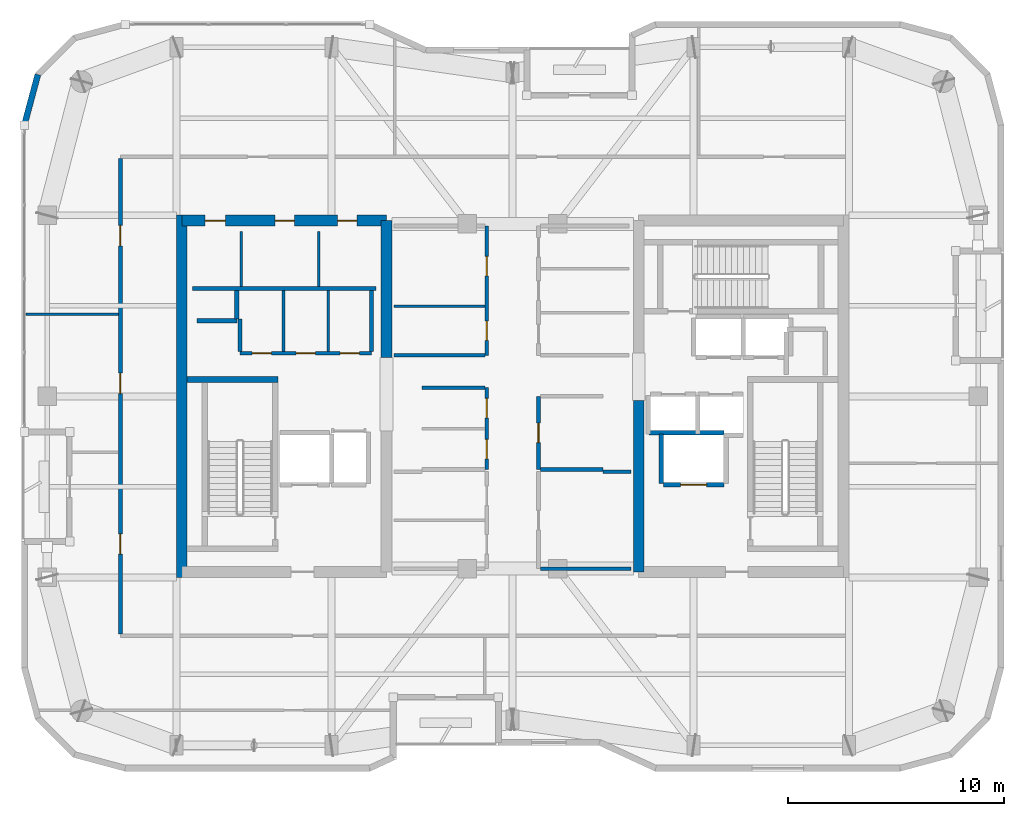
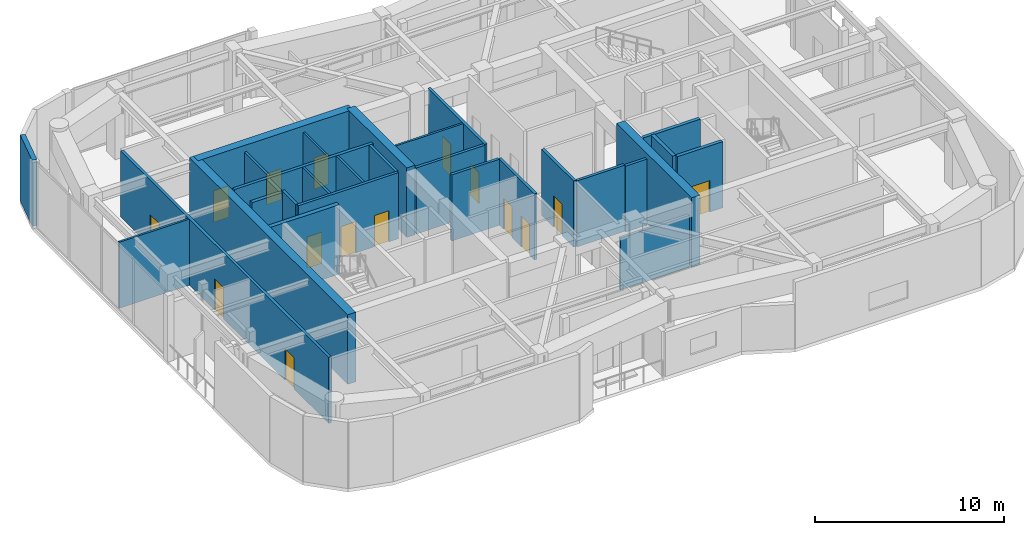
# One storey, part 11 of 15: 30 walls, 15 doors, 15 openings.
"""IFC4 building model written with IfcOpenShell, lengths in metres."""

from ifc_helpers import new_model, si_unit, direction, frame, frame_2d, origin, place, context, subcontext, project, spatial, rectangle, extrude, material, layer, layer_set, type_object, element, fill, save


model = new_model("IFC4")

# Units and contexts
model_context = context("Model", 3, precision=1e-05, world=origin(), true_north=direction((0.0, 1.0)))
body_context = subcontext(model_context, "Body", "Model", "MODEL_VIEW")
ifc_project = project(units=[si_unit("LENGTHUNIT", "METRE"), si_unit("AREAUNIT", "SQUARE_METRE"), si_unit("VOLUMEUNIT", "CUBIC_METRE"), si_unit("PLANEANGLEUNIT", "RADIAN"), si_unit("MASSUNIT", "GRAM", prefix="KILO")], contexts=[model_context])

# Site, building, storey
site_placement = place(None, origin())
site = spatial("IfcSite", under=ifc_project, at=site_placement, CompositionType="ELEMENT")
building_placement = place(site_placement, origin())
building = spatial("IfcBuilding", under=site, at=building_placement, Name="Kiyonajd Concourse Tower", CompositionType="ELEMENT")
storey_placement = place(building_placement, frame((0.0, 0.0, 342.0)))
storey = spatial("IfcBuildingStorey", under=building, at=storey_placement, Name="L86", CompositionType="ELEMENT", Elevation=342.0)

# Walls
ifc_material_1 = material(Name="Concrete C60/75", Category="concrete")
ifc_layer_1 = layer(ifc_material_1, 0.5)
ifc_layer_set_1 = layer_set([ifc_layer_1], Name="Concrete C60/75")
wall_type_1 = type_object("IfcWallType", Name="WL-CORE-500", PredefinedType="SHEAR", material=ifc_layer_set_1)
wall_1_placement = place(storey_placement, frame((32.64990234375, 27.60009765625, 0.0), z_axis=(0.0, 0.0, 1.0), x_axis=(0.0, 1.0, 0.0)))
element("IfcWall", 1, at=wall_1_placement, inside=storey, type_object=wall_type_1, Name="L86 West Core Outer Shear Wall", PredefinedType="SHEAR", context=body_context, shape_type="SweptSolid", body=[
    extrude(rectangle(XDim=16.7998046875, YDim=0.5, at=frame_2d((8.39990234375, 0.0))), origin(), (0.0, 0.0, 1.0), 4.5),
])
wall_2_placement = place(storey_placement, frame((42.14990234375, 37.800048828125, 0.0), z_axis=(0.0, 0.0, 1.0), x_axis=(0.0, 1.0, 0.0)))
element("IfcWall", 2, at=wall_2_placement, inside=storey, type_object=wall_type_1, Name="L86 West Core Inner North Shear Wall", PredefinedType="SHEAR", context=body_context, shape_type="SweptSolid", body=[
    extrude(rectangle(XDim=6.349853515625, YDim=0.5, at=frame_2d((3.1748046875, 0.0))), origin(), (0.0, 0.0, 1.0), 4.5),
])

# Wall, openings, doors
wall_3_placement = place(storey_placement, frame((32.64990234375, 44.14990234375, 0.0), z_axis=(0.0, 0.0, 1.0), x_axis=(1.0, 0.0, 0.0)))
wall_3 = element("IfcWall", 3, at=wall_3_placement, inside=storey, type_object=wall_type_1, Name="L86 West Core North Shear Wall", PredefinedType="SHEAR", context=body_context, shape_type="SweptSolid", body=[
    extrude(rectangle(XDim=9.5, YDim=0.5, at=frame_2d((4.75, 0.0))), origin(), (0.0, 0.0, 1.0), 4.5),
])
opening_1_placement = place(wall_3_placement, frame((1.074951171875, 0.0, 0.0)))
opening_1 = element("IfcOpeningElement", 4, at=opening_1_placement, cuts=wall_3, Name="Opening DI1", PredefinedType="OPENING", context=body_context, shape_type="SweptSolid", body=[
    extrude(rectangle(XDim=0.949951171875, YDim=2.0400390625, at=frame_2d((0.47509765625, 1.02001953125))), frame((0.0, 0.260009765625, 0.0), z_axis=(0.0, -1.0, 0.0), x_axis=(1.0, 0.0, 0.0)), (0.0, 0.0, 1.0), 0.52001953125),
])
opening_2_placement = place(wall_3_placement, frame((4.324951171875, 0.0, 0.0)))
opening_2 = element("IfcOpeningElement", 5, at=opening_2_placement, cuts=wall_3, Name="Opening DI2", PredefinedType="OPENING", context=body_context, shape_type="SweptSolid", body=[
    extrude(rectangle(XDim=0.89990234375, YDim=2.02001953125, at=frame_2d((0.449951171875, 1.010009765625))), frame((0.0, 0.260009765625, 0.0), z_axis=(0.0, -1.0, 0.0), x_axis=(1.0, 0.0, 0.0)), (0.0, 0.0, 1.0), 0.52001953125),
])
opening_3_placement = place(wall_3_placement, frame((7.22509765625, 0.0, 0.0)))
opening_3 = element("IfcOpeningElement", 6, at=opening_3_placement, cuts=wall_3, Name="Opening DI2", PredefinedType="OPENING", context=body_context, shape_type="SweptSolid", body=[
    extrude(rectangle(XDim=0.89990234375, YDim=2.02001953125, at=frame_2d((0.449951171875, 1.010009765625))), frame((0.0, 0.260009765625, 0.0), z_axis=(0.0, -1.0, 0.0), x_axis=(1.0, 0.0, 0.0)), (0.0, 0.0, 1.0), 0.52001953125),
])
ifc_material_2 = material(Name="Natural Oak Acoustic Timber Veneer", Category="wood")
door_type_1 = type_object("IfcDoorType", Name="DR-INT-900", OperationType="NOTDEFINED", PredefinedType="DOOR", material=ifc_material_2)
door_1_placement = place(opening_2_placement, origin())
door_1 = element("IfcDoor", 7, at=door_1_placement, inside=storey, type_object=door_type_1, Name="L86 Male Restroom Door", OperationType="SINGLE_SWING_RIGHT", OverallHeight=2.02001953125, OverallWidth=0.89990234375, PredefinedType="DOOR", context=body_context, shape_type="SweptSolid", body=[
    extrude(rectangle(XDim=0.89990234375, YDim=2.02001953125, at=frame_2d((0.449951171875, 1.010009765625))), frame((0.0, 0.02490234375, 0.0), z_axis=(0.0, -1.0, 0.0), x_axis=(1.0, 0.0, 0.0)), (0.0, 0.0, 1.0), 0.050048828125),
])
fill(opening_2, door_1)
door_2_placement = place(opening_3_placement, origin())
door_2 = element("IfcDoor", 8, at=door_2_placement, inside=storey, type_object=door_type_1, Name="L86 Female Restroom Door", OperationType="SINGLE_SWING_LEFT", OverallHeight=2.02001953125, OverallWidth=0.89990234375, PredefinedType="DOOR", context=body_context, shape_type="SweptSolid", body=[
    extrude(rectangle(XDim=0.89990234375, YDim=2.02001953125, at=frame_2d((0.449951171875, 1.010009765625))), frame((0.0, 0.02490234375, 0.0), z_axis=(0.0, -1.0, 0.0), x_axis=(1.0, 0.0, 0.0)), (0.0, 0.0, 1.0), 0.050048828125),
])
fill(opening_3, door_2)
door_type_2 = type_object("IfcDoorType", Name="DR-INT-950", OperationType="NOTDEFINED", PredefinedType="DOOR", material=ifc_material_2)
door_3_placement = place(opening_1_placement, origin())
door_3 = element("IfcDoor", 9, at=door_3_placement, inside=storey, type_object=door_type_2, Name="L86 Single User Accessible WC Door", OperationType="SINGLE_SWING_LEFT", OverallHeight=2.0400390625, OverallWidth=0.949951171875, PredefinedType="DOOR", context=body_context, shape_type="SweptSolid", body=[
    extrude(rectangle(XDim=0.949951171875, YDim=2.0400390625, at=frame_2d((0.47509765625, 1.02001953125))), frame((0.0, 0.02490234375, 0.0), z_axis=(0.0, -1.0, 0.0), x_axis=(1.0, 0.0, 0.0)), (0.0, 0.0, 1.0), 0.050048828125),
])
fill(opening_1, door_3)

# Walls
wall_4_placement = place(storey_placement, frame((53.85009765625, 27.85009765625, 0.0), z_axis=(0.0, 0.0, 1.0), x_axis=(0.0, 1.0, 0.0)))
element("IfcWall", 10, at=wall_4_placement, inside=storey, type_object=wall_type_1, Name="L86 East Core Inner South Shear Wall", PredefinedType="SHEAR", context=body_context, shape_type="SweptSolid", body=[
    extrude(rectangle(XDim=7.949951171875, YDim=0.5, at=frame_2d((3.97509765625, 0.0))), origin(), (0.0, 0.0, 1.0), 4.5),
])
ifc_material_3 = material(Name="Precast concrete C50/60", Category="concrete")
ifc_layer_2 = layer(ifc_material_3, 0.280029296875)
ifc_layer_set_2 = layer_set([ifc_layer_2], Name="Precast concrete C50/60")
wall_type_2 = type_object("IfcWallType", Name="WL-EXT-280", PredefinedType="SOLIDWALL", material=ifc_layer_set_2)
wall_5_placement = place(storey_placement, frame((25.340087890625, 48.58154296875, 0.0), z_axis=(0.0, 0.0, 1.0), x_axis=(0.258751159445, 0.965944013639, 0.0)))
element("IfcWall", 11, at=wall_5_placement, inside=storey, type_object=wall_type_2, Name="L86 Exterior Concrete Frame Wall 06", PredefinedType="SOLIDWALL", context=body_context, shape_type="SweptSolid", body=[
    extrude(rectangle(XDim=2.4287109375, YDim=0.280029296875, at=frame_2d((1.21435546875, 0.0))), origin(), (0.0, 0.0, 1.0), 4.280029296875),
])
ifc_material_4 = material(Name="Gypsum Board on Cold-Formed Steel Stud", Category="steel")
ifc_layer_3 = layer(ifc_material_4, 0.125)
ifc_layer_set_3 = layer_set([ifc_layer_3], Name="Gypsum Board on Cold-Formed Steel Stud")
wall_type_3 = type_object("IfcWallType", Name="WL-PART-125", PredefinedType="PARTITIONING", material=ifc_layer_set_3)
for number, where, z_axis, x_axis, name in (
    (12, (35.39990234375, 41.094970703125, 0.0), (0.0, 0.0, 1.0), (0.0, 1.0, 0.0), "L86 Interior Partition Wall"),
    (13, (39.0, 41.094970703125, 0.0), (0.0, 0.0, 1.0), (0.0, 1.0, 0.0), "L86 Interior Partition Wall"),
):
    element("IfcWall", number, at=place(storey_placement, frame(where, z_axis=z_axis, x_axis=x_axis)), inside=storey, type_object=wall_type_3, Name=name, PredefinedType="PARTITIONING", context=body_context, shape_type="SweptSolid", body=[
        extrude(rectangle(XDim=2.554931640625, YDim=0.125, at=frame_2d((1.27734375, 0.0))), origin(), (0.0, 0.0, 1.0), 4.280029296875),
    ])
for number, where, z_axis, x_axis, name in (
    (14, (37.363037109375, 38.0869140625, 0.0), (0.0, 0.0, 1.0), (0.0, 1.0, 0.0), "L86 Interior Partition Wall"),
    (15, (39.43701171875, 38.0869140625, 0.0), (0.0, 0.0, 1.0), (0.0, 1.0, 0.0), "L86 Interior Partition Wall"),
):
    element("IfcWall", number, at=place(storey_placement, frame(where, z_axis=z_axis, x_axis=x_axis)), inside=storey, type_object=wall_type_3, Name=name, PredefinedType="PARTITIONING", context=body_context, shape_type="SweptSolid", body=[
        extrude(rectangle(XDim=2.81298828125, YDim=0.125, at=frame_2d((1.406494140625, 0.0))), origin(), (0.0, 0.0, 1.0), 4.280029296875),
    ])
wall_6_placement = place(storey_placement, frame((42.5, 40.179931640625, 0.0), z_axis=(0.0, 0.0, 1.0), x_axis=(1.0, 0.0, 0.0)))
element("IfcWall", 16, at=wall_6_placement, inside=storey, type_object=wall_type_3, Name="L86 Interior Partition Wall", PredefinedType="PARTITIONING", context=body_context, shape_type="SweptSolid", body=[
    extrude(rectangle(XDim=4.212890625, YDim=0.125, at=frame_2d((2.1064453125, 0.0))), origin(), (0.0, 0.0, 1.0), 4.280029296875),
])
wall_7_placement = place(storey_placement, frame((25.425048828125, 39.800048828125, 0.0), z_axis=(0.0, 0.0, 1.0), x_axis=(1.0, 0.0, 0.0)))
element("IfcWall", 17, at=wall_7_placement, inside=storey, type_object=wall_type_3, Name="L86 Interior Partition Wall", PredefinedType="PARTITIONING", context=body_context, shape_type="SweptSolid", body=[
    extrude(rectangle(XDim=4.287841796875, YDim=0.125, at=frame_2d((2.14404296875, 0.0))), origin(), (0.0, 0.0, 1.0), 4.280029296875),
])
ifc_layer_4 = layer(ifc_material_4, 0.18994140625)
ifc_layer_set_4 = layer_set([ifc_layer_4], Name="Gypsum Board on Cold-Formed Steel Stud")
wall_type_4 = type_object("IfcWallType", Name="WL-PLMB-190", PredefinedType="PLUMBINGWALL", material=ifc_layer_set_4)
wall_8_placement = place(storey_placement, frame((33.14990234375, 41.0, 0.0), z_axis=(0.0, 0.0, 1.0), x_axis=(1.0, 0.0, 0.0)))
element("IfcWall", 18, at=wall_8_placement, inside=storey, type_object=wall_type_4, Name="L86 Interior Partition Wall", PredefinedType="PLUMBINGWALL", context=body_context, shape_type="SweptSolid", body=[
    extrude(rectangle(XDim=8.5, YDim=0.18994140625, at=frame_2d((4.25, 0.0))), origin(), (0.0, 0.0, 1.0), 4.280029296875),
])
ifc_layer_5 = layer(ifc_material_4, 0.2099609375)
ifc_layer_set_5 = layer_set([ifc_layer_5], Name="Gypsum Board on Cold-Formed Steel Stud")
wall_type_5 = type_object("IfcWallType", Name="WL-SHAFT-210", PredefinedType="PARTITIONING", material=ifc_layer_set_5)
wall_9_placement = place(storey_placement, frame((33.360107421875, 39.5, 0.0), z_axis=(0.0, 0.0, 1.0), x_axis=(1.0, 0.0, 0.0)))
element("IfcWall", 19, at=wall_9_placement, inside=storey, type_object=wall_type_5, Name="L86 Shaft Enclosure Wall", PredefinedType="PARTITIONING", context=body_context, shape_type="SweptSolid", body=[
    extrude(rectangle(XDim=1.85986328125, YDim=0.2099609375, at=frame_2d((0.929931640625, 0.0))), origin(), (0.0, 0.0, 1.0), 4.280029296875),
])
wall_10_placement = place(storey_placement, frame((35.199951171875, 39.580078125, 0.0), z_axis=(0.0, 0.0, 1.0), x_axis=(0.0, 1.0, 0.0)))
element("IfcWall", 20, at=wall_10_placement, inside=storey, type_object=wall_type_5, Name="L86 Shaft Enclosure Wall", PredefinedType="PARTITIONING", context=body_context, shape_type="SweptSolid", body=[
    extrude(rectangle(XDim=1.31982421875, YDim=0.2099609375, at=frame_2d((0.659912109375, 0.0))), origin(), (0.0, 0.0, 1.0), 4.280029296875),
])

# Wall, opening, door
wall_11_placement = place(storey_placement, frame((55.0, 31.89990234375, 0.0), z_axis=(0.0, 0.0, 1.0), x_axis=(1.0, 0.0, 0.0)))
wall_11 = element("IfcWall", 21, at=wall_11_placement, inside=storey, type_object=wall_type_5, Name="L86 Shaft Enclosure Wall", PredefinedType="PARTITIONING", context=body_context, shape_type="SweptSolid", body=[
    extrude(rectangle(XDim=2.800048828125, YDim=0.2099609375, at=frame_2d((1.39990234375, 0.0))), origin(), (0.0, 0.0, 1.0), 4.280029296875),
])
opening_4_placement = place(wall_11_placement, frame((0.800048828125, 0.0, 0.0)))
opening_4 = element("IfcOpeningElement", 22, at=opening_4_placement, cuts=wall_11, Name="Opening LD2", PredefinedType="OPENING", context=body_context, shape_type="SweptSolid", body=[
    extrude(rectangle(XDim=1.199951171875, YDim=2.0400390625, at=frame_2d((0.60009765625, 1.02001953125))), frame((0.0, 0.114990234375, 0.0), z_axis=(0.0, -1.0, 0.0), x_axis=(1.0, 0.0, 0.0)), (0.0, 0.0, 1.0), 0.22998046875),
])
ifc_material_5 = material(Name="Brushed Stainless Steel Cab Assembly", Category="steel")
door_type_3 = type_object("IfcDoorType", Name="DR-LD-1200", OperationType="DOUBLE_DOOR_SLIDING", PredefinedType="DOOR", material=ifc_material_5)
door_4_placement = place(opening_4_placement, origin())
door_4 = element("IfcDoor", 23, at=door_4_placement, inside=storey, type_object=door_type_3, Name="L86 Lift FFL2 Sliding Landing Door", OperationType="DOUBLE_DOOR_SLIDING", OverallHeight=2.0400390625, OverallWidth=1.199951171875, PredefinedType="DOOR", context=body_context, shape_type="SweptSolid", body=[
    extrude(rectangle(XDim=1.199951171875, YDim=2.0400390625, at=frame_2d((0.60009765625, 1.02001953125))), frame((0.0, 0.02490234375, 0.0), z_axis=(0.0, -1.0, 0.0), x_axis=(1.0, 0.0, 0.0)), (0.0, 0.0, 1.0), 0.050048828125),
])
fill(opening_4, door_4)

# Walls
wall_12_placement = place(storey_placement, frame((54.320068359375, 34.300048828125, 0.0), z_axis=(0.0, 0.0, 1.0), x_axis=(1.0, 0.0, 0.0)))
element("IfcWall", 24, at=wall_12_placement, inside=storey, type_object=wall_type_5, Name="L86 Shaft Enclosure Wall", PredefinedType="PARTITIONING", context=body_context, shape_type="SweptSolid", body=[
    extrude(rectangle(XDim=3.47998046875, YDim=0.2099609375, at=frame_2d((1.739990234375, 0.0))), origin(), (0.0, 0.0, 1.0), 4.280029296875),
])
wall_13_placement = place(storey_placement, frame((54.89990234375, 31.9599609375, 0.0), z_axis=(0.0, 0.0, 1.0), x_axis=(0.0, 1.0, 0.0)))
element("IfcWall", 25, at=wall_13_placement, inside=storey, type_object=wall_type_5, Name="L86 Shaft Enclosure Wall", PredefinedType="PARTITIONING", context=body_context, shape_type="SweptSolid", body=[
    extrude(rectangle(XDim=2.280029296875, YDim=0.2099609375, at=frame_2d((1.14013671875, 0.0))), origin(), (0.0, 0.0, 1.0), 4.280029296875),
])

# Wall, openings, doors
ifc_layer_6 = layer(ifc_material_4, 0.169921875)
ifc_layer_set_6 = layer_set([ifc_layer_6], Name="Gypsum Board on Cold-Formed Steel Stud")
wall_type_6 = type_object("IfcWallType", Name="WL-SMK-170", PredefinedType="PARTITIONING", material=ifc_layer_set_6)
wall_14_placement = place(storey_placement, frame((35.35009765625, 38.0, 0.0), z_axis=(0.0, 0.0, 1.0), x_axis=(1.0, 0.0, 0.0)))
wall_14 = element("IfcWall", 26, at=wall_14_placement, inside=storey, type_object=wall_type_6, Name="L86 Interior Partition Wall", PredefinedType="PARTITIONING", context=body_context, shape_type="SweptSolid", body=[
    extrude(rectangle(XDim=6.099853515625, YDim=0.169921875, at=frame_2d((3.0498046875, 0.0))), origin(), (0.0, 0.0, 1.0), 4.280029296875),
])
opening_5_placement = place(wall_14_placement, frame((0.555908203125, 0.0, 0.0)))
opening_5 = element("IfcOpeningElement", 27, at=opening_5_placement, cuts=wall_14, Name="Opening DI2", PredefinedType="OPENING", context=body_context, shape_type="SweptSolid", body=[
    extrude(rectangle(XDim=0.89990234375, YDim=2.02001953125, at=frame_2d((0.449951171875, 1.010009765625))), frame((0.0, 0.094970703125, 0.0), z_axis=(0.0, -1.0, 0.0), x_axis=(1.0, 0.0, 0.0)), (0.0, 0.0, 1.0), 0.18994140625),
])
opening_6_placement = place(wall_14_placement, frame((2.60009765625, 0.0, 0.0)))
opening_6 = element("IfcOpeningElement", 28, at=opening_6_placement, cuts=wall_14, Name="Opening DI2", PredefinedType="OPENING", context=body_context, shape_type="SweptSolid", body=[
    extrude(rectangle(XDim=0.89990234375, YDim=2.02001953125, at=frame_2d((0.449951171875, 1.010009765625))), frame((0.0, 0.094970703125, 0.0), z_axis=(0.0, -1.0, 0.0), x_axis=(1.0, 0.0, 0.0)), (0.0, 0.0, 1.0), 0.18994140625),
])
opening_7_placement = place(wall_14_placement, frame((4.64306640625, 0.0, 0.0)))
opening_7 = element("IfcOpeningElement", 29, at=opening_7_placement, cuts=wall_14, Name="Opening DI2", PredefinedType="OPENING", context=body_context, shape_type="SweptSolid", body=[
    extrude(rectangle(XDim=0.89990234375, YDim=2.02001953125, at=frame_2d((0.449951171875, 1.010009765625))), frame((0.0, 0.094970703125, 0.0), z_axis=(0.0, -1.0, 0.0), x_axis=(1.0, 0.0, 0.0)), (0.0, 0.0, 1.0), 0.18994140625),
])
door_5_placement = place(opening_5_placement, origin())
door_5 = element("IfcDoor", 30, at=door_5_placement, inside=storey, type_object=door_type_1, Name="L86 Interior Door", OperationType="SINGLE_SWING_RIGHT", OverallHeight=2.02001953125, OverallWidth=0.89990234375, PredefinedType="DOOR", context=body_context, shape_type="SweptSolid", body=[
    extrude(rectangle(XDim=0.89990234375, YDim=2.02001953125, at=frame_2d((0.449951171875, 1.010009765625))), frame((0.0, 0.02490234375, 0.0), z_axis=(0.0, -1.0, 0.0), x_axis=(1.0, 0.0, 0.0)), (0.0, 0.0, 1.0), 0.050048828125),
])
fill(opening_5, door_5)
door_6_placement = place(opening_6_placement, origin())
door_6 = element("IfcDoor", 31, at=door_6_placement, inside=storey, type_object=door_type_1, Name="L86 Interior Door", OperationType="SINGLE_SWING_LEFT", OverallHeight=2.02001953125, OverallWidth=0.89990234375, PredefinedType="DOOR", context=body_context, shape_type="SweptSolid", body=[
    extrude(rectangle(XDim=0.89990234375, YDim=2.02001953125, at=frame_2d((0.449951171875, 1.010009765625))), frame((0.0, 0.02490234375, 0.0), z_axis=(0.0, -1.0, 0.0), x_axis=(1.0, 0.0, 0.0)), (0.0, 0.0, 1.0), 0.050048828125),
])
fill(opening_6, door_6)
door_7_placement = place(opening_7_placement, origin())
door_7 = element("IfcDoor", 32, at=door_7_placement, inside=storey, type_object=door_type_1, Name="L86 Interior Door", OperationType="SINGLE_SWING_RIGHT", OverallHeight=2.02001953125, OverallWidth=0.89990234375, PredefinedType="DOOR", context=body_context, shape_type="SweptSolid", body=[
    extrude(rectangle(XDim=0.89990234375, YDim=2.02001953125, at=frame_2d((0.449951171875, 1.010009765625))), frame((0.0, 0.02490234375, 0.0), z_axis=(0.0, -1.0, 0.0), x_axis=(1.0, 0.0, 0.0)), (0.0, 0.0, 1.0), 0.050048828125),
])
fill(opening_7, door_7)

# Walls
wall_15_placement = place(storey_placement, frame((35.35009765625, 38.0869140625, 0.0), z_axis=(0.0, 0.0, 1.0), x_axis=(0.0, 1.0, 0.0)))
element("IfcWall", 33, at=wall_15_placement, inside=storey, type_object=wall_type_6, Name="L86 Interior Partition Wall", PredefinedType="PARTITIONING", context=body_context, shape_type="SweptSolid", body=[
    extrude(rectangle(XDim=1.4931640625, YDim=0.169921875, at=frame_2d((0.74658203125, 0.0))), origin(), (0.0, 0.0, 1.0), 4.280029296875),
])
wall_16_placement = place(storey_placement, frame((41.449951171875, 38.0869140625, 0.0), z_axis=(0.0, 0.0, 1.0), x_axis=(0.0, 1.0, 0.0)))
element("IfcWall", 34, at=wall_16_placement, inside=storey, type_object=wall_type_6, Name="L86 Interior Partition Wall", PredefinedType="PARTITIONING", context=body_context, shape_type="SweptSolid", body=[
    extrude(rectangle(XDim=2.81298828125, YDim=0.169921875, at=frame_2d((1.406494140625, 0.0))), origin(), (0.0, 0.0, 1.0), 4.280029296875),
])

# Wall, openings, doors
wall_17_placement = place(storey_placement, frame((46.800048828125, 32.60009765625, 0.0), z_axis=(0.0, 0.0, 1.0), x_axis=(0.0, 1.0, 0.0)))
wall_17 = element("IfcWall", 35, at=wall_17_placement, inside=storey, type_object=wall_type_6, Name="L86 Interior Partition Wall", PredefinedType="PARTITIONING", context=body_context, shape_type="SweptSolid", body=[
    extrude(rectangle(XDim=3.7998046875, YDim=0.169921875, at=frame_2d((1.89990234375, 0.0))), origin(), (0.0, 0.0, 1.0), 4.280029296875),
])
opening_8_placement = place(wall_17_placement, frame((0.5, 0.0, 0.0)))
opening_8 = element("IfcOpeningElement", 36, at=opening_8_placement, cuts=wall_17, Name="Opening DI2", PredefinedType="OPENING", context=body_context, shape_type="SweptSolid", body=[
    extrude(rectangle(XDim=0.89990234375, YDim=2.02001953125, at=frame_2d((0.449951171875, 1.010009765625))), frame((0.0, 0.094970703125, 0.0), z_axis=(0.0, -1.0, 0.0), x_axis=(1.0, 0.0, 0.0)), (0.0, 0.0, 1.0), 0.18994140625),
])
opening_9_placement = place(wall_17_placement, frame((2.39990234375, 0.0, 0.0)))
opening_9 = element("IfcOpeningElement", 37, at=opening_9_placement, cuts=wall_17, Name="Opening DI2", PredefinedType="OPENING", context=body_context, shape_type="SweptSolid", body=[
    extrude(rectangle(XDim=0.89990234375, YDim=2.02001953125, at=frame_2d((0.449951171875, 1.010009765625))), frame((0.0, 0.094970703125, 0.0), z_axis=(0.0, -1.0, 0.0), x_axis=(1.0, 0.0, 0.0)), (0.0, 0.0, 1.0), 0.18994140625),
])
door_8_placement = place(opening_8_placement, origin())
door_8 = element("IfcDoor", 38, at=door_8_placement, inside=storey, type_object=door_type_1, Name="L86 Interior Door", OperationType="SINGLE_SWING_LEFT", OverallHeight=2.02001953125, OverallWidth=0.89990234375, PredefinedType="DOOR", context=body_context, shape_type="SweptSolid", body=[
    extrude(rectangle(XDim=0.89990234375, YDim=2.02001953125, at=frame_2d((0.449951171875, 1.010009765625))), frame((0.0, 0.02490234375, 0.0), z_axis=(0.0, -1.0, 0.0), x_axis=(1.0, 0.0, 0.0)), (0.0, 0.0, 1.0), 0.050048828125),
])
fill(opening_8, door_8)
door_9_placement = place(opening_9_placement, origin())
door_9 = element("IfcDoor", 39, at=door_9_placement, inside=storey, type_object=door_type_1, Name="L86 Interior Door", OperationType="SINGLE_SWING_RIGHT", OverallHeight=2.02001953125, OverallWidth=0.89990234375, PredefinedType="DOOR", context=body_context, shape_type="SweptSolid", body=[
    extrude(rectangle(XDim=0.89990234375, YDim=2.02001953125, at=frame_2d((0.449951171875, 1.010009765625))), frame((0.0, 0.02490234375, 0.0), z_axis=(0.0, -1.0, 0.0), x_axis=(1.0, 0.0, 0.0)), (0.0, 0.0, 1.0), 0.050048828125),
])
fill(opening_9, door_9)

# Wall
wall_18_placement = place(storey_placement, frame((43.800048828125, 36.39990234375, 0.0), z_axis=(0.0, 0.0, 1.0), x_axis=(1.0, 0.0, 0.0)))
element("IfcWall", 40, at=wall_18_placement, inside=storey, type_object=wall_type_6, Name="L86 Interior Partition Wall", PredefinedType="PARTITIONING", context=body_context, shape_type="SweptSolid", body=[
    extrude(rectangle(XDim=2.912841796875, YDim=0.169921875, at=frame_2d((1.45654296875, 0.0))), origin(), (0.0, 0.0, 1.0), 4.280029296875),
])

# Wall, opening, door
wall_19_placement = place(storey_placement, frame((49.199951171875, 32.60009765625, 0.0), z_axis=(0.0, 0.0, 1.0), x_axis=(0.0, 1.0, 0.0)))
wall_19 = element("IfcWall", 41, at=wall_19_placement, inside=storey, type_object=wall_type_6, Name="L86 Interior Partition Wall", PredefinedType="PARTITIONING", context=body_context, shape_type="SweptSolid", body=[
    extrude(rectangle(XDim=3.39990234375, YDim=0.169921875, at=frame_2d((1.699951171875, 0.0))), origin(), (0.0, 0.0, 1.0), 4.280029296875),
])
opening_10_placement = place(wall_19_placement, frame((1.25, 0.0, 0.0)))
opening_10 = element("IfcOpeningElement", 42, at=opening_10_placement, cuts=wall_19, Name="Opening DI2", PredefinedType="OPENING", context=body_context, shape_type="SweptSolid", body=[
    extrude(rectangle(XDim=0.89990234375, YDim=2.02001953125, at=frame_2d((0.449951171875, 1.010009765625))), frame((0.0, 0.094970703125, 0.0), z_axis=(0.0, -1.0, 0.0), x_axis=(1.0, 0.0, 0.0)), (0.0, 0.0, 1.0), 0.18994140625),
])
door_10_placement = place(opening_10_placement, origin())
door_10 = element("IfcDoor", 43, at=door_10_placement, inside=storey, type_object=door_type_1, Name="L86 Interior Door", OperationType="SINGLE_SWING_LEFT", OverallHeight=2.02001953125, OverallWidth=0.89990234375, PredefinedType="DOOR", context=body_context, shape_type="SweptSolid", body=[
    extrude(rectangle(XDim=0.89990234375, YDim=2.02001953125, at=frame_2d((0.449951171875, 1.010009765625))), frame((0.0, 0.02490234375, 0.0), z_axis=(0.0, -1.0, 0.0), x_axis=(1.0, 0.0, 0.0)), (0.0, 0.0, 1.0), 0.050048828125),
])
fill(opening_10, door_10)

# Walls
wall_20_placement = place(storey_placement, frame((49.287109375, 32.60009765625, 0.0), z_axis=(0.0, 0.0, 1.0), x_axis=(1.0, 0.0, 0.0)))
element("IfcWall", 44, at=wall_20_placement, inside=storey, type_object=wall_type_6, Name="L86 Interior Partition Wall", PredefinedType="PARTITIONING", context=body_context, shape_type="SweptSolid", body=[
    extrude(rectangle(XDim=2.912841796875, YDim=0.169921875, at=frame_2d((1.45654296875, 0.0))), origin(), (0.0, 0.0, 1.0), 4.280029296875),
])
wall_21_placement = place(storey_placement, frame((49.287109375, 28.0, 0.0), z_axis=(0.0, 0.0, 1.0), x_axis=(1.0, 0.0, 0.0)))
element("IfcWall", 45, at=wall_21_placement, inside=storey, type_object=wall_type_6, Name="L86 Interior Partition Wall", PredefinedType="PARTITIONING", context=body_context, shape_type="SweptSolid", body=[
    extrude(rectangle(XDim=4.212890625, YDim=0.169921875, at=frame_2d((2.1064453125, 0.0))), origin(), (0.0, 0.0, 1.0), 3.364990234375),
])
wall_22_placement = place(storey_placement, frame((52.199951171875, 32.5, 0.0), z_axis=(0.0, 0.0, 1.0), x_axis=(1.0, 0.0, 0.0)))
element("IfcWall", 46, at=wall_22_placement, inside=storey, type_object=wall_type_6, Name="L86 Interior Partition Wall", PredefinedType="PARTITIONING", context=body_context, shape_type="SweptSolid", body=[
    extrude(rectangle(XDim=1.300048828125, YDim=0.169921875, at=frame_2d((0.64990234375, 0.0))), origin(), (0.0, 0.0, 1.0), 4.280029296875),
])

# Wall, openings, doors
wall_23_placement = place(storey_placement, frame((46.800048828125, 37.89990234375, 0.0), z_axis=(0.0, 0.0, 1.0), x_axis=(0.0, 1.0, 0.0)))
wall_23 = element("IfcWall", 47, at=wall_23_placement, inside=storey, type_object=wall_type_6, Name="L86 Interior Partition Wall", PredefinedType="PARTITIONING", context=body_context, shape_type="SweptSolid", body=[
    extrude(rectangle(XDim=6.0, YDim=0.169921875, at=frame_2d((3.0, 0.0))), origin(), (0.0, 0.0, 1.0), 4.280029296875),
])
opening_11_placement = place(wall_23_placement, frame((0.68994140625, 0.0, 0.0)))
opening_11 = element("IfcOpeningElement", 48, at=opening_11_placement, cuts=wall_23, Name="Opening DI2", PredefinedType="OPENING", context=body_context, shape_type="SweptSolid", body=[
    extrude(rectangle(XDim=0.89990234375, YDim=2.02001953125, at=frame_2d((0.449951171875, 1.010009765625))), frame((0.0, 0.094970703125, 0.0), z_axis=(0.0, -1.0, 0.0), x_axis=(1.0, 0.0, 0.0)), (0.0, 0.0, 1.0), 0.18994140625),
])
opening_12_placement = place(wall_23_placement, frame((3.68994140625, 0.0, 0.0)))
opening_12 = element("IfcOpeningElement", 49, at=opening_12_placement, cuts=wall_23, Name="Opening DI2", PredefinedType="OPENING", context=body_context, shape_type="SweptSolid", body=[
    extrude(rectangle(XDim=0.89990234375, YDim=2.02001953125, at=frame_2d((0.449951171875, 1.010009765625))), frame((0.0, 0.094970703125, 0.0), z_axis=(0.0, -1.0, 0.0), x_axis=(1.0, 0.0, 0.0)), (0.0, 0.0, 1.0), 0.18994140625),
])
door_11_placement = place(opening_11_placement, origin())
door_11 = element("IfcDoor", 50, at=door_11_placement, inside=storey, type_object=door_type_1, Name="L86 Interior Door", OperationType="SINGLE_SWING_LEFT", OverallHeight=2.02001953125, OverallWidth=0.89990234375, PredefinedType="DOOR", context=body_context, shape_type="SweptSolid", body=[
    extrude(rectangle(XDim=0.89990234375, YDim=2.02001953125, at=frame_2d((0.449951171875, 1.010009765625))), frame((0.0, 0.02490234375, 0.0), z_axis=(0.0, -1.0, 0.0), x_axis=(1.0, 0.0, 0.0)), (0.0, 0.0, 1.0), 0.050048828125),
])
fill(opening_11, door_11)
door_12_placement = place(opening_12_placement, origin())
door_12 = element("IfcDoor", 51, at=door_12_placement, inside=storey, type_object=door_type_1, Name="L86 Interior Door", OperationType="SINGLE_SWING_RIGHT", OverallHeight=2.02001953125, OverallWidth=0.89990234375, PredefinedType="DOOR", context=body_context, shape_type="SweptSolid", body=[
    extrude(rectangle(XDim=0.89990234375, YDim=2.02001953125, at=frame_2d((0.449951171875, 1.010009765625))), frame((0.0, 0.02490234375, 0.0), z_axis=(0.0, -1.0, 0.0), x_axis=(1.0, 0.0, 0.0)), (0.0, 0.0, 1.0), 0.050048828125),
])
fill(opening_12, door_12)

# Wall
wall_24_placement = place(storey_placement, frame((42.5, 37.89990234375, 0.0), z_axis=(0.0, 0.0, 1.0), x_axis=(1.0, 0.0, 0.0)))
element("IfcWall", 52, at=wall_24_placement, inside=storey, type_object=wall_type_6, Name="L86 Interior Partition Wall", PredefinedType="PARTITIONING", context=body_context, shape_type="SweptSolid", body=[
    extrude(rectangle(XDim=4.212890625, YDim=0.169921875, at=frame_2d((2.1064453125, 0.0))), origin(), (0.0, 0.0, 1.0), 4.280029296875),
])

# Wall, openings, doors
wall_25_placement = place(storey_placement, frame((29.800048828125, 24.97705078125, 0.0), z_axis=(0.0, 0.0, 1.0), x_axis=(0.0, 1.0, 0.0)))
wall_25 = element("IfcWall", 53, at=wall_25_placement, inside=storey, type_object=wall_type_6, Name="L86 Interior Partition Wall", PredefinedType="PARTITIONING", context=body_context, shape_type="SweptSolid", body=[
    extrude(rectangle(XDim=22.0458984375, YDim=0.169921875, at=frame_2d((11.02294921875, 0.0))), origin(), (0.0, 0.0, 1.0), 4.280029296875),
])
opening_13_placement = place(wall_25_placement, frame((3.693115234375, 0.0, 0.0)))
opening_13 = element("IfcOpeningElement", 54, at=opening_13_placement, cuts=wall_25, Name="Opening DI1", PredefinedType="OPENING", context=body_context, shape_type="SweptSolid", body=[
    extrude(rectangle(XDim=0.949951171875, YDim=2.0400390625, at=frame_2d((0.47509765625, 1.02001953125))), frame((0.0, 0.094970703125, 0.0), z_axis=(0.0, -1.0, 0.0), x_axis=(1.0, 0.0, 0.0)), (0.0, 0.0, 1.0), 0.18994140625),
])
opening_14_placement = place(wall_25_placement, frame((11.14794921875, 0.0, 0.0)))
opening_14 = element("IfcOpeningElement", 55, at=opening_14_placement, cuts=wall_25, Name="Opening DI1", PredefinedType="OPENING", context=body_context, shape_type="SweptSolid", body=[
    extrude(rectangle(XDim=0.949951171875, YDim=2.0400390625, at=frame_2d((0.47509765625, 1.02001953125))), frame((0.0, 0.094970703125, 0.0), z_axis=(0.0, -1.0, 0.0), x_axis=(1.0, 0.0, 0.0)), (0.0, 0.0, 1.0), 0.18994140625),
])
opening_15_placement = place(wall_25_placement, frame((18.0029296875, 0.0, 0.0)))
opening_15 = element("IfcOpeningElement", 56, at=opening_15_placement, cuts=wall_25, Name="Opening DI1", PredefinedType="OPENING", context=body_context, shape_type="SweptSolid", body=[
    extrude(rectangle(XDim=0.949951171875, YDim=2.0400390625, at=frame_2d((0.47509765625, 1.02001953125))), frame((0.0, 0.094970703125, 0.0), z_axis=(0.0, -1.0, 0.0), x_axis=(1.0, 0.0, 0.0)), (0.0, 0.0, 1.0), 0.18994140625),
])
door_13_placement = place(opening_13_placement, origin())
door_13 = element("IfcDoor", 57, at=door_13_placement, inside=storey, type_object=door_type_2, Name="L86 Interior Door", OperationType="SINGLE_SWING_RIGHT", OverallHeight=2.0400390625, OverallWidth=0.949951171875, PredefinedType="DOOR", context=body_context, shape_type="SweptSolid", body=[
    extrude(rectangle(XDim=0.949951171875, YDim=2.0400390625, at=frame_2d((0.47509765625, 1.02001953125))), frame((0.0, 0.02490234375, 0.0), z_axis=(0.0, -1.0, 0.0), x_axis=(1.0, 0.0, 0.0)), (0.0, 0.0, 1.0), 0.050048828125),
])
fill(opening_13, door_13)
door_14_placement = place(opening_14_placement, origin())
door_14 = element("IfcDoor", 58, at=door_14_placement, inside=storey, type_object=door_type_2, Name="L86 Interior Door", OperationType="SINGLE_SWING_LEFT", OverallHeight=2.0400390625, OverallWidth=0.949951171875, PredefinedType="DOOR", context=body_context, shape_type="SweptSolid", body=[
    extrude(rectangle(XDim=0.949951171875, YDim=2.0400390625, at=frame_2d((0.47509765625, 1.02001953125))), frame((0.0, 0.02490234375, 0.0), z_axis=(0.0, -1.0, 0.0), x_axis=(1.0, 0.0, 0.0)), (0.0, 0.0, 1.0), 0.050048828125),
])
fill(opening_14, door_14)
door_15_placement = place(opening_15_placement, origin())
door_15 = element("IfcDoor", 59, at=door_15_placement, inside=storey, type_object=door_type_2, Name="L86 Interior Door", OperationType="SINGLE_SWING_RIGHT", OverallHeight=2.0400390625, OverallWidth=0.949951171875, PredefinedType="DOOR", context=body_context, shape_type="SweptSolid", body=[
    extrude(rectangle(XDim=0.949951171875, YDim=2.0400390625, at=frame_2d((0.47509765625, 1.02001953125))), frame((0.0, 0.02490234375, 0.0), z_axis=(0.0, -1.0, 0.0), x_axis=(1.0, 0.0, 0.0)), (0.0, 0.0, 1.0), 0.050048828125),
])
fill(opening_15, door_15)

# Wall
ifc_material_6 = material(Name="Concrete C50/60", Category="concrete")
ifc_layer_7 = layer(ifc_material_6, 0.260009765625)
ifc_layer_set_7 = layer_set([ifc_layer_7], Name="Concrete C50/60")
wall_type_7 = type_object("IfcWallType", Name="WL-STAIR-260", PredefinedType="SHEAR", material=ifc_layer_set_7)
wall_26_placement = place(storey_placement, frame((32.89990234375, 36.780029296875, 0.0), z_axis=(0.0, 0.0, 1.0), x_axis=(1.0, 0.0, 0.0)))
element("IfcWall", 60, at=wall_26_placement, inside=storey, type_object=wall_type_7, Name="L86 Stair ST1 Structural North Wall", PredefinedType="SHEAR", context=body_context, shape_type="SweptSolid", body=[
    extrude(rectangle(XDim=4.210205078125, YDim=0.260009765625, at=frame_2d((2.10498046875, 0.0))), origin(), (0.0, 0.0, 1.0), 4.5),
])

save(model, "model.ifc")
